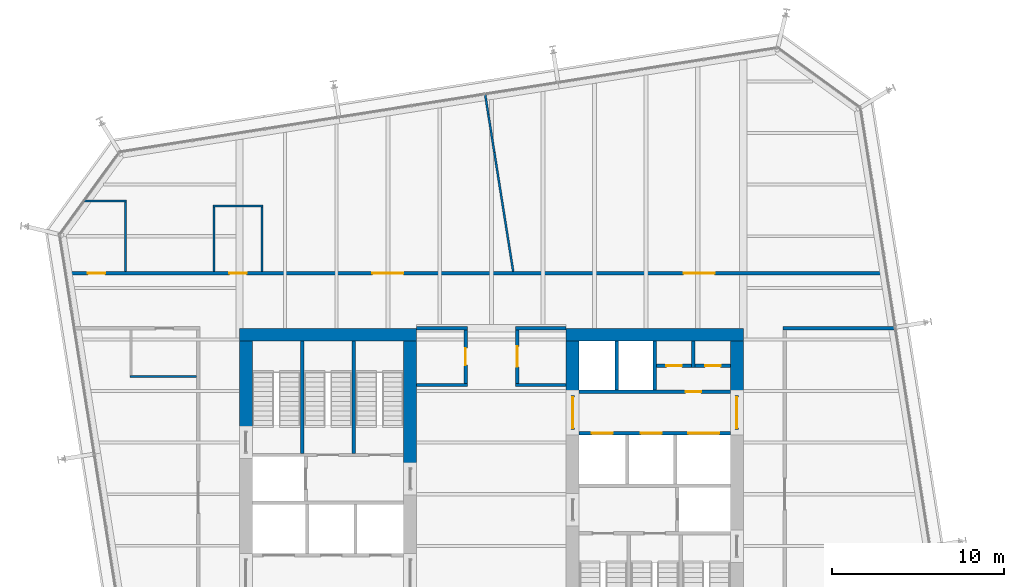
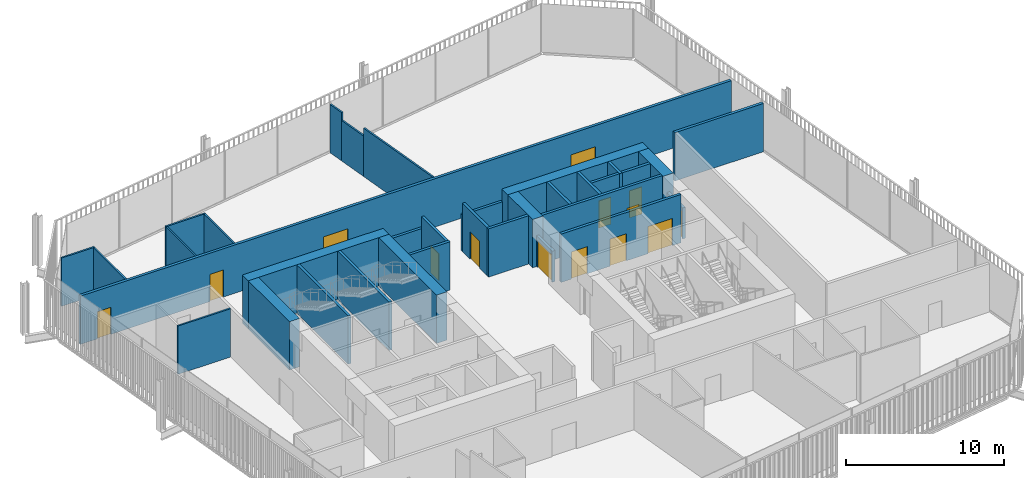
# One storey, part 19 of 21: 33 walls, 14 doors, 14 openings.
"""IFC4 building model written with IfcOpenShell, lengths in metres."""

from ifc_helpers import new_model, si_unit, direction, frame, frame_2d, origin, place, context, subcontext, project, spatial, rectangle, extrude, material, layer, layer_set, type_object, element, fill, save


model = new_model("IFC4")

# Units and contexts
model_context = context("Model", 3, precision=1e-05, world=origin(), true_north=direction((0.0, 1.0)))
body_context = subcontext(model_context, "Body", "Model", "MODEL_VIEW")
ifc_project = project(units=[si_unit("LENGTHUNIT", "METRE"), si_unit("AREAUNIT", "SQUARE_METRE"), si_unit("VOLUMEUNIT", "CUBIC_METRE"), si_unit("PLANEANGLEUNIT", "RADIAN"), si_unit("MASSUNIT", "GRAM", prefix="KILO")], contexts=[model_context])

# Site, building, storey
site_placement = place(None, origin())
site = spatial("IfcSite", under=ifc_project, at=site_placement, CompositionType="ELEMENT")
building_placement = place(site_placement, origin())
building = spatial("IfcBuilding", under=site, at=building_placement, Name="Millrace Tower", CompositionType="ELEMENT")
storey_placement = place(building_placement, frame((0.0, 0.0, 164.60009765625)))
storey = spatial("IfcBuildingStorey", under=building, at=storey_placement, Name="L37", CompositionType="ELEMENT", Elevation=164.60009765625)

# Walls
ifc_material_1 = material(Name="Concrete C70", Category="concrete")
ifc_layer_1 = layer(ifc_material_1, 0.75)
ifc_layer_set_1 = layer_set([ifc_layer_1], Name="Concrete C70")
wall_type_1 = type_object("IfcWallType", Name="Core wall 750 Concrete C70", PredefinedType="SHEAR", material=ifc_layer_set_1)
wall_1_placement = place(storey_placement, frame((-14.64990234375, 9.27490234375, 0.0), z_axis=(0.0, 0.0, 1.0), x_axis=(1.0, 0.0, 0.0)))
element("IfcWall", 1, at=wall_1_placement, inside=storey, type_object=wall_type_1, Name="Core wall W L37", PredefinedType="SHEAR", context=body_context, shape_type="SweptSolid", body=[
    extrude(rectangle(XDim=10.2998046875, YDim=0.75, at=frame_2d((5.14990234375, 0.0))), origin(), (0.0, 0.0, 1.0), 3.739990234375),
])
wall_2_placement = place(storey_placement, frame((-14.27490234375, 3.679931640625, 0.0), z_axis=(0.0, 0.0, 1.0), x_axis=(0.0, 1.0, 0.0)))
element("IfcWall", 2, at=wall_2_placement, inside=storey, type_object=wall_type_1, Name="Core wall W L37", PredefinedType="SHEAR", context=body_context, shape_type="SweptSolid", body=[
    extrude(rectangle(XDim=5.219970703125, YDim=0.75, at=frame_2d((2.60986328125, 0.0))), origin(), (0.0, 0.0, 1.0), 3.739990234375),
])
wall_3_placement = place(storey_placement, frame((-4.72509765625, 1.550048828125, 0.0), z_axis=(0.0, 0.0, 1.0), x_axis=(0.0, 1.0, 0.0)))
element("IfcWall", 3, at=wall_3_placement, inside=storey, type_object=wall_type_1, Name="Core wall W L37", PredefinedType="SHEAR", context=body_context, shape_type="SweptSolid", body=[
    extrude(rectangle(XDim=7.349853515625, YDim=0.75, at=frame_2d((3.6748046875, 0.0))), origin(), (0.0, 0.0, 1.0), 3.739990234375),
])
wall_4_placement = place(storey_placement, frame((14.64990234375, 9.27490234375, 0.0), z_axis=(0.0, 0.0, 1.0), x_axis=(-1.0, 0.0, 0.0)))
element("IfcWall", 4, at=wall_4_placement, inside=storey, type_object=wall_type_1, Name="Core wall E L37", PredefinedType="SHEAR", context=body_context, shape_type="SweptSolid", body=[
    extrude(rectangle(XDim=10.2998046875, YDim=0.75, at=frame_2d((5.14990234375, 0.0))), origin(), (0.0, 0.0, 1.0), 3.739990234375),
])
for number, where, z_axis, x_axis, name in (
    (5, (14.27490234375, 8.89990234375, 0.0), (0.0, 0.0, 1.0), (0.0, -1.0, 0.0), "Core wall E L37"),
    (6, (4.72509765625, 8.89990234375, 0.0), (0.0, 0.0, 1.0), (0.0, -1.0, 0.0), "Core wall E L37"),
):
    element("IfcWall", number, at=place(storey_placement, frame(where, z_axis=z_axis, x_axis=x_axis)), inside=storey, type_object=wall_type_1, Name=name, PredefinedType="SHEAR", context=body_context, shape_type="SweptSolid", body=[
        extrude(rectangle(XDim=3.14990234375, YDim=0.75, at=frame_2d((1.574951171875, 0.0))), origin(), (0.0, 0.0, 1.0), 3.739990234375),
    ])
ifc_material_2 = material(Name="Masonry partition, fire-rated", Category="masonry")
ifc_layer_2 = layer(ifc_material_2, 0.199951171875)
ifc_layer_set_2 = layer_set([ifc_layer_2], Name="Masonry partition, fire-rated")
wall_type_2 = type_object("IfcWallType", Name="Corridor wall 200", PredefinedType="PARTITIONING", material=ifc_layer_set_2)
for number, where, z_axis, x_axis, name in (
    (7, (-4.35009765625, 6.35009765625, 0.0), (0.0, 0.0, 1.0), (1.0, 0.0, 0.0), "Corridor wall L37"),
    (8, (1.39990234375, 6.35009765625, 0.0), (0.0, 0.0, 1.0), (1.0, 0.0, 0.0), "Corridor wall L37"),
):
    element("IfcWall", number, at=place(storey_placement, frame(where, z_axis=z_axis, x_axis=x_axis)), inside=storey, type_object=wall_type_2, Name=name, PredefinedType="PARTITIONING", context=body_context, shape_type="SweptSolid", body=[
        extrude(rectangle(XDim=2.9501953125, YDim=0.199951171875, at=frame_2d((1.47509765625, 0.0))), origin(), (0.0, 0.0, 1.0), 3.739990234375),
    ])
for number, where, z_axis, x_axis, name in (
    (9, (-4.35009765625, 9.64990234375, 0.0), (0.0, 0.0, 1.0), (1.0, 0.0, 0.0), "Corridor wall L37"),
    (10, (1.39990234375, 9.64990234375, 0.0), (0.0, 0.0, 1.0), (1.0, 0.0, 0.0), "Corridor wall L37"),
):
    element("IfcWall", number, at=place(storey_placement, frame(where, z_axis=z_axis, x_axis=x_axis)), inside=storey, type_object=wall_type_2, Name=name, PredefinedType="PARTITIONING", context=body_context, shape_type="SweptSolid", body=[
        extrude(rectangle(XDim=2.9501953125, YDim=0.199951171875, at=frame_2d((1.47509765625, 0.0))), origin(), (0.0, 0.0, 1.0), 2.812744140625),
    ])
wall_5_placement = place(storey_placement, frame((16.949951171875, 9.64990234375, 0.0), z_axis=(0.0, 0.0, 1.0), x_axis=(1.0, 0.0, 0.0)))
element("IfcWall", 11, at=wall_5_placement, inside=storey, type_object=wall_type_2, Name="Corridor wall L37", PredefinedType="PARTITIONING", context=body_context, shape_type="SweptSolid", body=[
    extrude(rectangle(XDim=6.489501953125, YDim=0.199951171875, at=frame_2d((3.24462890625, 0.0))), origin(), (0.0, 0.0, 1.0), 3.739990234375),
])

# Wall, openings, doors
wall_6_placement = place(storey_placement, frame((-24.7138671875, 12.85009765625, 0.0), z_axis=(0.0, 0.0, 1.0), x_axis=(1.0, 0.0, 0.0)))
wall_6 = element("IfcWall", 12, at=wall_6_placement, inside=storey, type_object=wall_type_2, Name="Corridor wall L37", PredefinedType="PARTITIONING", context=body_context, shape_type="SweptSolid", body=[
    extrude(rectangle(XDim=47.646484375, YDim=0.199951171875, at=frame_2d((23.8232421875, 0.0))), origin(), (0.0, 0.0, 1.0), 3.739990234375),
])
opening_1_placement = place(wall_6_placement, frame((1.2509765625, 0.0, 0.0)))
opening_1 = element("IfcOpeningElement", 13, at=opening_1_placement, cuts=wall_6, Name="Opening 37-P005", PredefinedType="OPENING", context=body_context, shape_type="SweptSolid", body=[
    extrude(rectangle(XDim=1.0, YDim=2.10009765625, at=frame_2d((0.5, 1.050048828125))), frame((0.0, 0.10986328125, 0.0), z_axis=(0.0, -1.0, 0.0), x_axis=(1.0, 0.0, 0.0)), (0.0, 0.0, 1.0), 0.219970703125),
])
opening_2_placement = place(wall_6_placement, frame((17.79296875, 0.0, 0.0)))
opening_2 = element("IfcOpeningElement", 14, at=opening_2_placement, cuts=wall_6, Name="Opening 37-P006", PredefinedType="OPENING", context=body_context, shape_type="SweptSolid", body=[
    extrude(rectangle(XDim=1.800048828125, YDim=2.10009765625, at=frame_2d((0.89990234375, 1.050048828125))), frame((0.0, 0.10986328125, 0.0), z_axis=(0.0, -1.0, 0.0), x_axis=(1.0, 0.0, 0.0)), (0.0, 0.0, 1.0), 0.219970703125),
])
opening_3_placement = place(wall_6_placement, frame((9.486083984375, 0.0, 0.0)))
opening_3 = element("IfcOpeningElement", 15, at=opening_3_placement, cuts=wall_6, Name="Opening 37-P007", PredefinedType="OPENING", context=body_context, shape_type="SweptSolid", body=[
    extrude(rectangle(XDim=1.0, YDim=2.10009765625, at=frame_2d((0.5, 1.050048828125))), frame((0.0, 0.10986328125, 0.0), z_axis=(0.0, -1.0, 0.0), x_axis=(1.0, 0.0, 0.0)), (0.0, 0.0, 1.0), 0.219970703125),
])
opening_4_placement = place(wall_6_placement, frame((35.89794921875, 0.0, 0.0)))
opening_4 = element("IfcOpeningElement", 16, at=opening_4_placement, cuts=wall_6, Name="Opening 37-P008", PredefinedType="OPENING", context=body_context, shape_type="SweptSolid", body=[
    extrude(rectangle(XDim=1.800048828125, YDim=2.10009765625, at=frame_2d((0.89990234375, 1.050048828125))), frame((0.0, 0.10986328125, 0.0), z_axis=(0.0, -1.0, 0.0), x_axis=(1.0, 0.0, 0.0)), (0.0, 0.0, 1.0), 0.219970703125),
])
ifc_material_3 = material(Name="Steel door set, fire-rated", Category="steel")
door_type_1 = type_object("IfcDoorType", Name="Corridor door 1000 x 2100", OperationType="SINGLE_SWING_LEFT", PredefinedType="DOOR", material=ifc_material_3)
door_1_placement = place(opening_1_placement, origin())
door_1 = element("IfcDoor", 17, at=door_1_placement, inside=storey, type_object=door_type_1, Name="Door 37-P005", OperationType="SINGLE_SWING_LEFT", OverallHeight=2.10009765625, OverallWidth=1.0, PredefinedType="DOOR", context=body_context, shape_type="SweptSolid", body=[
    extrude(rectangle(XDim=1.0, YDim=2.10009765625, at=frame_2d((0.5, 1.050048828125))), frame((0.0, 0.02490234375, 0.0), z_axis=(0.0, -1.0, 0.0), x_axis=(1.0, 0.0, 0.0)), (0.0, 0.0, 1.0), 0.050048828125),
])
fill(opening_1, door_1)
door_2_placement = place(opening_3_placement, origin())
door_2 = element("IfcDoor", 18, at=door_2_placement, inside=storey, type_object=door_type_1, Name="Door 37-P007", OperationType="SINGLE_SWING_LEFT", OverallHeight=2.10009765625, OverallWidth=1.0, PredefinedType="DOOR", context=body_context, shape_type="SweptSolid", body=[
    extrude(rectangle(XDim=1.0, YDim=2.10009765625, at=frame_2d((0.5, 1.050048828125))), frame((0.0, 0.02490234375, 0.0), z_axis=(0.0, -1.0, 0.0), x_axis=(1.0, 0.0, 0.0)), (0.0, 0.0, 1.0), 0.050048828125),
])
fill(opening_3, door_2)
ifc_material_4 = material(Name="Steel door set, fire-rated", Category="steel")
door_type_2 = type_object("IfcDoorType", Name="Corridor door 1800 x 2100", OperationType="DOUBLE_DOOR_SINGLE_SWING", PredefinedType="DOOR", material=ifc_material_4)
door_3_placement = place(opening_2_placement, frame((1.800048828125, 0.0, 0.0), z_axis=(0.0, 0.0, 1.0), x_axis=(-1.0, 0.0, 0.0)))
door_3 = element("IfcDoor", 19, at=door_3_placement, inside=storey, type_object=door_type_2, Name="Door 37-P006", OperationType="DOUBLE_DOOR_SINGLE_SWING", OverallHeight=2.10009765625, OverallWidth=1.800048828125, PredefinedType="DOOR", context=body_context, shape_type="SweptSolid", body=[
    extrude(rectangle(XDim=1.800048828125, YDim=2.10009765625, at=frame_2d((0.89990234375, 1.050048828125))), frame((0.0, 0.02490234375, 0.0), z_axis=(0.0, -1.0, 0.0), x_axis=(1.0, 0.0, 0.0)), (0.0, 0.0, 1.0), 0.050048828125),
])
fill(opening_2, door_3)
door_4_placement = place(opening_4_placement, frame((1.800048828125, 0.0, 0.0), z_axis=(0.0, 0.0, 1.0), x_axis=(-1.0, 0.0, 0.0)))
door_4 = element("IfcDoor", 20, at=door_4_placement, inside=storey, type_object=door_type_2, Name="Door 37-P008", OperationType="DOUBLE_DOOR_SINGLE_SWING", OverallHeight=2.10009765625, OverallWidth=1.800048828125, PredefinedType="DOOR", context=body_context, shape_type="SweptSolid", body=[
    extrude(rectangle(XDim=1.800048828125, YDim=2.10009765625, at=frame_2d((0.89990234375, 1.050048828125))), frame((0.0, 0.02490234375, 0.0), z_axis=(0.0, -1.0, 0.0), x_axis=(1.0, 0.0, 0.0)), (0.0, 0.0, 1.0), 0.050048828125),
])
fill(opening_4, door_4)

# Wall, opening, door
wall_7_placement = place(storey_placement, frame((1.5, 6.449951171875, 0.0), z_axis=(0.0, 0.0, 1.0), x_axis=(0.0, 1.0, 0.0)))
wall_7 = element("IfcWall", 21, at=wall_7_placement, inside=storey, type_object=wall_type_2, Name="Corridor wall L37", PredefinedType="PARTITIONING", context=body_context, shape_type="SweptSolid", body=[
    extrude(rectangle(XDim=3.10009765625, YDim=0.199951171875, at=frame_2d((1.550048828125, 0.0))), origin(), (0.0, 0.0, 1.0), 3.739990234375),
])
opening_5_placement = place(wall_7_placement, frame((0.949951171875, 0.0, 0.0)))
opening_5 = element("IfcOpeningElement", 22, at=opening_5_placement, cuts=wall_7, Name="Opening 37-P002", PredefinedType="OPENING", context=body_context, shape_type="SweptSolid", body=[
    extrude(rectangle(XDim=1.199951171875, YDim=2.10009765625, at=frame_2d((0.60009765625, 1.050048828125))), frame((0.0, 0.10986328125, 0.0), z_axis=(0.0, -1.0, 0.0), x_axis=(1.0, 0.0, 0.0)), (0.0, 0.0, 1.0), 0.219970703125),
])
ifc_material_5 = material(Name="Steel door set, fire-rated", Category="steel")
door_type_3 = type_object("IfcDoorType", Name="Corridor door 1200 x 2100", OperationType="SINGLE_SWING_LEFT", PredefinedType="DOOR", material=ifc_material_5)
door_5_placement = place(opening_5_placement, frame((1.199951171875, 0.0, 0.0), z_axis=(0.0, 0.0, 1.0), x_axis=(-1.0, 0.0, 0.0)))
door_5 = element("IfcDoor", 23, at=door_5_placement, inside=storey, type_object=door_type_3, Name="Door 37-P002", OperationType="SINGLE_SWING_LEFT", OverallHeight=2.10009765625, OverallWidth=1.199951171875, PredefinedType="DOOR", context=body_context, shape_type="SweptSolid", body=[
    extrude(rectangle(XDim=1.199951171875, YDim=2.10009765625, at=frame_2d((0.60009765625, 1.050048828125))), frame((0.0, 0.02490234375, 0.0), z_axis=(0.0, -1.0, 0.0), x_axis=(1.0, 0.0, 0.0)), (0.0, 0.0, 1.0), 0.050048828125),
])
fill(opening_5, door_5)

wall_8_placement = place(storey_placement, frame((-1.5, 6.449951171875, 0.0), z_axis=(0.0, 0.0, 1.0), x_axis=(0.0, 1.0, 0.0)))
wall_8 = element("IfcWall", 24, at=wall_8_placement, inside=storey, type_object=wall_type_2, Name="Corridor wall L37", PredefinedType="PARTITIONING", context=body_context, shape_type="SweptSolid", body=[
    extrude(rectangle(XDim=3.10009765625, YDim=0.199951171875, at=frame_2d((1.550048828125, 0.0))), origin(), (0.0, 0.0, 1.0), 3.739990234375),
])
opening_6_placement = place(wall_8_placement, frame((1.050048828125, 0.0, 0.0)))
opening_6 = element("IfcOpeningElement", 25, at=opening_6_placement, cuts=wall_8, Name="Opening 37-P001", PredefinedType="OPENING", context=body_context, shape_type="SweptSolid", body=[
    extrude(rectangle(XDim=1.0, YDim=2.10009765625, at=frame_2d((0.5, 1.050048828125))), frame((0.0, 0.10986328125, 0.0), z_axis=(0.0, -1.0, 0.0), x_axis=(1.0, 0.0, 0.0)), (0.0, 0.0, 1.0), 0.219970703125),
])
door_6_placement = place(opening_6_placement, origin())
door_6 = element("IfcDoor", 26, at=door_6_placement, inside=storey, type_object=door_type_1, Name="Door 37-P001", OperationType="SINGLE_SWING_RIGHT", OverallHeight=2.10009765625, OverallWidth=1.0, PredefinedType="DOOR", context=body_context, shape_type="SweptSolid", body=[
    extrude(rectangle(XDim=1.0, YDim=2.10009765625, at=frame_2d((0.5, 1.050048828125))), frame((0.0, 0.02490234375, 0.0), z_axis=(0.0, -1.0, 0.0), x_axis=(1.0, 0.0, 0.0)), (0.0, 0.0, 1.0), 0.050048828125),
])
fill(opening_6, door_6)

ifc_material_6 = material(Name="Masonry partition, fire-rated", Category="masonry")
ifc_layer_3 = layer(ifc_material_6, 0.199951171875)
ifc_layer_set_3 = layer_set([ifc_layer_3], Name="Masonry partition, fire-rated")
wall_type_3 = type_object("IfcWallType", Name="Lift shaft wall 200", PredefinedType="PARTITIONING", material=ifc_layer_set_3)
wall_9_placement = place(storey_placement, frame((13.89990234375, 5.949951171875, 0.0), z_axis=(0.0, 0.0, 1.0), x_axis=(-1.0, 0.0, 0.0)))
wall_9 = element("IfcWall", 27, at=wall_9_placement, inside=storey, type_object=wall_type_3, Name="Lift shaft wall E L37", PredefinedType="PARTITIONING", context=body_context, shape_type="SweptSolid", body=[
    extrude(rectangle(XDim=8.7998046875, YDim=0.199951171875, at=frame_2d((4.39990234375, 0.0))), origin(), (0.0, 0.0, 1.0), 3.739990234375),
])
opening_7_placement = place(wall_9_placement, frame((1.699951171875, 0.0, 0.0)))
opening_7 = element("IfcOpeningElement", 28, at=opening_7_placement, cuts=wall_9, Name="Opening 37-C014", PredefinedType="OPENING", context=body_context, shape_type="SweptSolid", body=[
    extrude(rectangle(XDim=0.89990234375, YDim=2.10009765625, at=frame_2d((0.449951171875, 1.050048828125))), frame((0.0, 0.10986328125, 0.0), z_axis=(0.0, -1.0, 0.0), x_axis=(1.0, 0.0, 0.0)), (0.0, 0.0, 1.0), 0.219970703125),
])
ifc_material_7 = material(Name="Steel door, fire-rated", Category="steel")
door_type_4 = type_object("IfcDoorType", Name="Service room door 900 x 2100", OperationType="SINGLE_SWING_LEFT", PredefinedType="DOOR", material=ifc_material_7)
door_7_placement = place(opening_7_placement, origin())
door_7 = element("IfcDoor", 29, at=door_7_placement, inside=storey, type_object=door_type_4, Name="Service room door 37-C014", OperationType="SINGLE_SWING_LEFT", OverallHeight=2.10009765625, OverallWidth=0.89990234375, PredefinedType="DOOR", context=body_context, shape_type="SweptSolid", body=[
    extrude(rectangle(XDim=0.89990234375, YDim=2.10009765625, at=frame_2d((0.449951171875, 1.050048828125))), frame((0.0, 0.02490234375, 0.0), z_axis=(0.0, -1.0, 0.0), x_axis=(1.0, 0.0, 0.0)), (0.0, 0.0, 1.0), 0.050048828125),
])
fill(opening_7, door_7)

# Wall, openings, doors
wall_10_placement = place(storey_placement, frame((13.89990234375, 3.550048828125, 0.0), z_axis=(0.0, 0.0, 1.0), x_axis=(-1.0, 0.0, 0.0)))
wall_10 = element("IfcWall", 30, at=wall_10_placement, inside=storey, type_object=wall_type_3, Name="Lift shaft wall E L37", PredefinedType="PARTITIONING", context=body_context, shape_type="SweptSolid", body=[
    extrude(rectangle(XDim=8.7998046875, YDim=0.199951171875, at=frame_2d((4.39990234375, 0.0))), origin(), (0.0, 0.0, 1.0), 3.739990234375),
])
opening_8_placement = place(wall_10_placement, frame((0.64990234375, 0.0, 0.0)))
opening_8 = element("IfcOpeningElement", 31, at=opening_8_placement, cuts=wall_10, Name="Opening 37-LD13", PredefinedType="OPENING", context=body_context, shape_type="SweptSolid", body=[
    extrude(rectangle(XDim=1.800048828125, YDim=2.10009765625, at=frame_2d((0.89990234375, 1.050048828125))), frame((0.0, 0.10986328125, 0.0), z_axis=(0.0, -1.0, 0.0), x_axis=(1.0, 0.0, 0.0)), (0.0, 0.0, 1.0), 0.219970703125),
])
opening_9_placement = place(wall_10_placement, frame((4.0, 0.0, 0.0)))
opening_9 = element("IfcOpeningElement", 32, at=opening_9_placement, cuts=wall_10, Name="Opening 37-LD14", PredefinedType="OPENING", context=body_context, shape_type="SweptSolid", body=[
    extrude(rectangle(XDim=1.199951171875, YDim=2.10009765625, at=frame_2d((0.60009765625, 1.050048828125))), frame((0.0, 0.10986328125, 0.0), z_axis=(0.0, -1.0, 0.0), x_axis=(1.0, 0.0, 0.0)), (0.0, 0.0, 1.0), 0.219970703125),
])
opening_10_placement = place(wall_10_placement, frame((6.85009765625, 0.0, 0.0)))
opening_10 = element("IfcOpeningElement", 33, at=opening_10_placement, cuts=wall_10, Name="Opening 37-LD15", PredefinedType="OPENING", context=body_context, shape_type="SweptSolid", body=[
    extrude(rectangle(XDim=1.199951171875, YDim=2.10009765625, at=frame_2d((0.60009765625, 1.050048828125))), frame((0.0, 0.10986328125, 0.0), z_axis=(0.0, -1.0, 0.0), x_axis=(1.0, 0.0, 0.0)), (0.0, 0.0, 1.0), 0.219970703125),
])
ifc_material_8 = material(Name="Stainless steel, fire-rated", Category="steel")
door_type_5 = type_object("IfcDoorType", Name="Lift landing door 1200 x 2100", OperationType="DOUBLE_DOOR_SLIDING", PredefinedType="DOOR", material=ifc_material_8)
door_8_placement = place(opening_9_placement, origin())
door_8 = element("IfcDoor", 34, at=door_8_placement, inside=storey, type_object=door_type_5, Name="Lift landing door LF14 L37", OperationType="DOUBLE_DOOR_SLIDING", OverallHeight=2.10009765625, OverallWidth=1.199951171875, PredefinedType="DOOR", context=body_context, shape_type="SweptSolid", body=[
    extrude(rectangle(XDim=1.199951171875, YDim=2.10009765625, at=frame_2d((0.60009765625, 1.050048828125))), frame((0.0, 0.02490234375, 0.0), z_axis=(0.0, -1.0, 0.0), x_axis=(1.0, 0.0, 0.0)), (0.0, 0.0, 1.0), 0.050048828125),
])
fill(opening_9, door_8)
door_9_placement = place(opening_10_placement, origin())
door_9 = element("IfcDoor", 35, at=door_9_placement, inside=storey, type_object=door_type_5, Name="Lift landing door LF15 L37", OperationType="DOUBLE_DOOR_SLIDING", OverallHeight=2.10009765625, OverallWidth=1.199951171875, PredefinedType="DOOR", context=body_context, shape_type="SweptSolid", body=[
    extrude(rectangle(XDim=1.199951171875, YDim=2.10009765625, at=frame_2d((0.60009765625, 1.050048828125))), frame((0.0, 0.02490234375, 0.0), z_axis=(0.0, -1.0, 0.0), x_axis=(1.0, 0.0, 0.0)), (0.0, 0.0, 1.0), 0.050048828125),
])
fill(opening_10, door_9)
ifc_material_9 = material(Name="Stainless steel, fire-rated", Category="steel")
door_type_6 = type_object("IfcDoorType", Name="Lift landing door 1800 x 2100", OperationType="DOUBLE_DOOR_SLIDING", PredefinedType="DOOR", material=ifc_material_9)
door_10_placement = place(opening_8_placement, origin())
door_10 = element("IfcDoor", 36, at=door_10_placement, inside=storey, type_object=door_type_6, Name="Lift landing door LF13 L37", OperationType="DOUBLE_DOOR_SLIDING", OverallHeight=2.10009765625, OverallWidth=1.800048828125, PredefinedType="DOOR", context=body_context, shape_type="SweptSolid", body=[
    extrude(rectangle(XDim=1.800048828125, YDim=2.10009765625, at=frame_2d((0.89990234375, 1.050048828125))), frame((0.0, 0.02490234375, 0.0), z_axis=(0.0, -1.0, 0.0), x_axis=(1.0, 0.0, 0.0)), (0.0, 0.0, 1.0), 0.050048828125),
])
fill(opening_8, door_10)

# Walls
for number, where, z_axis, x_axis, name in (
    (37, (9.5, 8.89990234375, 0.0), (0.0, 0.0, 1.0), (0.0, -1.0, 0.0), "Lift shaft wall E L37"),
    (38, (7.300048828125, 8.89990234375, 0.0), (0.0, 0.0, 1.0), (0.0, -1.0, 0.0), "Lift shaft wall E L37"),
):
    element("IfcWall", number, at=place(storey_placement, frame(where, z_axis=z_axis, x_axis=x_axis)), inside=storey, type_object=wall_type_3, Name=name, PredefinedType="PARTITIONING", context=body_context, shape_type="SweptSolid", body=[
        extrude(rectangle(XDim=2.849853515625, YDim=0.199951171875, at=frame_2d((1.4248046875, 0.0))), origin(), (0.0, 0.0, 1.0), 3.739990234375),
    ])

# Wall, opening, door
ifc_material_10 = material(Name="Masonry partition, fire-rated", Category="masonry")
ifc_layer_4 = layer(ifc_material_10, 0.199951171875)
ifc_layer_set_4 = layer_set([ifc_layer_4], Name="Masonry partition, fire-rated")
wall_type_4 = type_object("IfcWallType", Name="Lobby wall 200", PredefinedType="PARTITIONING", material=ifc_layer_set_4)
wall_11_placement = place(storey_placement, frame((14.27490234375, 5.75, 0.0), z_axis=(0.0, 0.0, 1.0), x_axis=(0.0, -1.0, 0.0)))
wall_11 = element("IfcWall", 39, at=wall_11_placement, inside=storey, type_object=wall_type_4, Name="Lobby wall E L37", PredefinedType="PARTITIONING", context=body_context, shape_type="SweptSolid", body=[
    extrude(rectangle(XDim=2.0, YDim=0.199951171875, at=frame_2d((1.0, 0.0))), origin(), (0.0, 0.0, 1.0), 2.39990234375),
])
opening_11_placement = place(wall_11_placement, frame((0.10009765625, 0.0, 0.0)))
opening_11 = element("IfcOpeningElement", 40, at=opening_11_placement, cuts=wall_11, Name="Opening 37-C010", PredefinedType="OPENING", context=body_context, shape_type="SweptSolid", body=[
    extrude(rectangle(XDim=1.800048828125, YDim=2.10009765625, at=frame_2d((0.89990234375, 1.050048828125))), frame((0.0, 0.10986328125, 0.0), z_axis=(0.0, -1.0, 0.0), x_axis=(1.0, 0.0, 0.0)), (0.0, 0.0, 1.0), 0.219970703125),
])
ifc_material_11 = material(Name="Steel door, fire-rated", Category="steel")
door_type_7 = type_object("IfcDoorType", Name="Lobby door 1800 x 2100", OperationType="DOUBLE_DOOR_SINGLE_SWING", PredefinedType="DOOR", material=ifc_material_11)
door_11_placement = place(opening_11_placement, origin())
door_11 = element("IfcDoor", 41, at=door_11_placement, inside=storey, type_object=door_type_7, Name="Lobby door 37-C010", OperationType="DOUBLE_DOOR_SINGLE_SWING", OverallHeight=2.10009765625, OverallWidth=1.800048828125, PredefinedType="DOOR", context=body_context, shape_type="SweptSolid", body=[
    extrude(rectangle(XDim=1.800048828125, YDim=2.10009765625, at=frame_2d((0.89990234375, 1.050048828125))), frame((0.0, 0.02490234375, 0.0), z_axis=(0.0, -1.0, 0.0), x_axis=(1.0, 0.0, 0.0)), (0.0, 0.0, 1.0), 0.050048828125),
])
fill(opening_11, door_11)

wall_12_placement = place(storey_placement, frame((4.72509765625, 5.75, 0.0), z_axis=(0.0, 0.0, 1.0), x_axis=(0.0, -1.0, 0.0)))
wall_12 = element("IfcWall", 42, at=wall_12_placement, inside=storey, type_object=wall_type_4, Name="Lobby wall E L37", PredefinedType="PARTITIONING", context=body_context, shape_type="SweptSolid", body=[
    extrude(rectangle(XDim=2.0, YDim=0.199951171875, at=frame_2d((1.0, 0.0))), origin(), (0.0, 0.0, 1.0), 2.39990234375),
])
opening_12_placement = place(wall_12_placement, frame((0.10009765625, 0.0, 0.0)))
opening_12 = element("IfcOpeningElement", 43, at=opening_12_placement, cuts=wall_12, Name="Opening 37-C012", PredefinedType="OPENING", context=body_context, shape_type="SweptSolid", body=[
    extrude(rectangle(XDim=1.800048828125, YDim=2.10009765625, at=frame_2d((0.89990234375, 1.050048828125))), frame((0.0, 0.10986328125, 0.0), z_axis=(0.0, -1.0, 0.0), x_axis=(1.0, 0.0, 0.0)), (0.0, 0.0, 1.0), 0.219970703125),
])
door_12_placement = place(opening_12_placement, origin())
door_12 = element("IfcDoor", 44, at=door_12_placement, inside=storey, type_object=door_type_7, Name="Lobby door 37-C012", OperationType="DOUBLE_DOOR_SINGLE_SWING", OverallHeight=2.10009765625, OverallWidth=1.800048828125, PredefinedType="DOOR", context=body_context, shape_type="SweptSolid", body=[
    extrude(rectangle(XDim=1.800048828125, YDim=2.10009765625, at=frame_2d((0.89990234375, 1.050048828125))), frame((0.0, 0.02490234375, 0.0), z_axis=(0.0, -1.0, 0.0), x_axis=(1.0, 0.0, 0.0)), (0.0, 0.0, 1.0), 0.050048828125),
])
fill(opening_12, door_12)

# Walls
ifc_material_12 = material(Name="Gypsum board partition")
ifc_layer_5 = layer(ifc_material_12, 0.1201171875)
ifc_layer_set_5 = layer_set([ifc_layer_5], Name="Gypsum board partition")
wall_type_5 = type_object("IfcWallType", Name="Partition wall 120", PredefinedType="PARTITIONING", material=ifc_layer_set_5)
wall_13_placement = place(storey_placement, frame((-0.35791015625, 23.2265625, 0.0), z_axis=(0.0, 0.0, 1.0), x_axis=(0.156600767985, -0.987661986444, 0.0)))
element("IfcWall", 45, at=wall_13_placement, inside=storey, type_object=wall_type_5, Name="Partition wall L37", PredefinedType="PARTITIONING", context=body_context, shape_type="SweptSolid", body=[
    extrude(rectangle(XDim=1.1787109375, YDim=0.1201171875, at=frame_2d((0.58935546875, 0.0))), origin(), (0.0, 0.0, 1.0), 3.739990234375),
])
wall_14_placement = place(storey_placement, frame((-0.17333984375, 22.0625, 0.0), z_axis=(0.0, 0.0, 1.0), x_axis=(0.156375374173, -0.987697697857, 0.0)))
element("IfcWall", 46, at=wall_14_placement, inside=storey, type_object=wall_type_5, Name="Partition wall L37", PredefinedType="PARTITIONING", context=body_context, shape_type="SweptSolid", body=[
    extrude(rectangle(XDim=2.217041015625, YDim=0.1201171875, at=frame_2d((1.1083984375, 0.0))), origin(), (0.0, 0.0, 1.0), 3.1328125),
])
wall_15_placement = place(storey_placement, frame((0.17333984375, 19.872802734375, 0.0), z_axis=(0.0, 0.0, 1.0), x_axis=(0.156470438689, -0.987682642257, 0.0)))
element("IfcWall", 47, at=wall_15_placement, inside=storey, type_object=wall_type_5, Name="Partition wall L37", PredefinedType="PARTITIONING", context=body_context, shape_type="SweptSolid", body=[
    extrude(rectangle(XDim=7.010498046875, YDim=0.1201171875, at=frame_2d((3.50537109375, 0.0))), origin(), (0.0, 0.0, 1.0), 3.739990234375),
])
wall_16_placement = place(storey_placement, frame((-21.010009765625, 6.85009765625, 0.0), z_axis=(0.0, 0.0, 1.0), x_axis=(1.0, 0.0, 0.0)))
element("IfcWall", 48, at=wall_16_placement, inside=storey, type_object=wall_type_5, Name="Partition wall L37", PredefinedType="PARTITIONING", context=body_context, shape_type="SweptSolid", body=[
    extrude(rectangle(XDim=3.860107421875, YDim=0.1201171875, at=frame_2d((1.93017578125, 0.0))), origin(), (0.0, 0.0, 1.0), 3.739990234375),
])
wall_17_placement = place(storey_placement, frame((-16.18701171875, 16.75, 0.0), z_axis=(0.0, 0.0, 1.0), x_axis=(1.0, 0.0, 0.0)))
element("IfcWall", 49, at=wall_17_placement, inside=storey, type_object=wall_type_5, Name="Partition wall L37", PredefinedType="PARTITIONING", context=body_context, shape_type="SweptSolid", body=[
    extrude(rectangle(XDim=2.91796875, YDim=0.1201171875, at=frame_2d((1.458984375, 0.0))), origin(), (0.0, 0.0, 1.0), 3.739990234375),
])
wall_18_placement = place(storey_placement, frame((-23.6474609375, 17.050048828125, 0.0), z_axis=(0.0, 0.0, 1.0), x_axis=(1.0, 0.0, 0.0)))
element("IfcWall", 50, at=wall_18_placement, inside=storey, type_object=wall_type_5, Name="Partition wall L37", PredefinedType="PARTITIONING", context=body_context, shape_type="SweptSolid", body=[
    extrude(rectangle(XDim=2.443359375, YDim=0.1201171875, at=frame_2d((1.2216796875, 0.0))), origin(), (0.0, 0.0, 1.0), 3.739990234375),
])
for number, where, z_axis, x_axis, name in (
    (51, (-13.327880859375, 12.949951171875, 0.0), (0.0, 0.0, 1.0), (0.0, 1.0, 0.0), "Partition wall L37"),
    (52, (-16.1279296875, 12.949951171875, 0.0), (0.0, 0.0, 1.0), (0.0, 1.0, 0.0), "Partition wall L37"),
):
    element("IfcWall", number, at=place(storey_placement, frame(where, z_axis=z_axis, x_axis=x_axis)), inside=storey, type_object=wall_type_5, Name=name, PredefinedType="PARTITIONING", context=body_context, shape_type="SweptSolid", body=[
        extrude(rectangle(XDim=3.739013671875, YDim=0.1201171875, at=frame_2d((1.86962890625, 0.0))), origin(), (0.0, 0.0, 1.0), 3.739990234375),
    ])
wall_19_placement = place(storey_placement, frame((-21.262939453125, 12.949951171875, 0.0), z_axis=(0.0, 0.0, 1.0), x_axis=(0.0, 1.0, 0.0)))
element("IfcWall", 53, at=wall_19_placement, inside=storey, type_object=wall_type_5, Name="Partition wall L37", PredefinedType="PARTITIONING", context=body_context, shape_type="SweptSolid", body=[
    extrude(rectangle(XDim=4.0390625, YDim=0.1201171875, at=frame_2d((2.01953125, 0.0))), origin(), (0.0, 0.0, 1.0), 3.739990234375),
])

# Wall, openings, doors
ifc_material_13 = material(Name="Masonry partition, fire-rated", Category="masonry")
ifc_layer_6 = layer(ifc_material_13, 0.199951171875)
ifc_layer_set_6 = layer_set([ifc_layer_6], Name="Masonry partition, fire-rated")
wall_type_6 = type_object("IfcWallType", Name="Room partition 200", PredefinedType="PARTITIONING", material=ifc_layer_set_6)
wall_20_placement = place(storey_placement, frame((13.89990234375, 7.47509765625, 0.0), z_axis=(0.0, 0.0, 1.0), x_axis=(-1.0, 0.0, 0.0)))
wall_20 = element("IfcWall", 54, at=wall_20_placement, inside=storey, type_object=wall_type_6, Name="Room partition E L37", PredefinedType="PARTITIONING", context=body_context, shape_type="SweptSolid", body=[
    extrude(rectangle(XDim=4.2998046875, YDim=0.199951171875, at=frame_2d((2.14990234375, 0.0))), origin(), (0.0, 0.0, 1.0), 3.739990234375),
])
opening_13_placement = place(wall_20_placement, frame((0.574951171875, 0.0, 0.0)))
opening_13 = element("IfcOpeningElement", 55, at=opening_13_placement, cuts=wall_20, Name="Opening 37-C015", PredefinedType="OPENING", context=body_context, shape_type="SweptSolid", body=[
    extrude(rectangle(XDim=0.89990234375, YDim=2.10009765625, at=frame_2d((0.449951171875, 1.050048828125))), frame((0.0, 0.10986328125, 0.0), z_axis=(0.0, -1.0, 0.0), x_axis=(1.0, 0.0, 0.0)), (0.0, 0.0, 1.0), 0.219970703125),
])
opening_14_placement = place(wall_20_placement, frame((2.824951171875, 0.0, 0.0)))
opening_14 = element("IfcOpeningElement", 56, at=opening_14_placement, cuts=wall_20, Name="Opening 37-C016", PredefinedType="OPENING", context=body_context, shape_type="SweptSolid", body=[
    extrude(rectangle(XDim=0.89990234375, YDim=2.10009765625, at=frame_2d((0.449951171875, 1.050048828125))), frame((0.0, 0.10986328125, 0.0), z_axis=(0.0, -1.0, 0.0), x_axis=(1.0, 0.0, 0.0)), (0.0, 0.0, 1.0), 0.219970703125),
])
door_13_placement = place(opening_13_placement, frame((0.89990234375, 0.0, 0.0), z_axis=(0.0, 0.0, 1.0), x_axis=(-1.0, 0.0, 0.0)))
door_13 = element("IfcDoor", 57, at=door_13_placement, inside=storey, type_object=door_type_4, Name="Service room door 37-C015", OperationType="SINGLE_SWING_RIGHT", OverallHeight=2.10009765625, OverallWidth=0.89990234375, PredefinedType="DOOR", context=body_context, shape_type="SweptSolid", body=[
    extrude(rectangle(XDim=0.89990234375, YDim=2.10009765625, at=frame_2d((0.449951171875, 1.050048828125))), frame((0.0, 0.02490234375, 0.0), z_axis=(0.0, -1.0, 0.0), x_axis=(1.0, 0.0, 0.0)), (0.0, 0.0, 1.0), 0.050048828125),
])
fill(opening_13, door_13)
door_14_placement = place(opening_14_placement, frame((0.89990234375, 0.0, 0.0), z_axis=(0.0, 0.0, 1.0), x_axis=(-1.0, 0.0, 0.0)))
door_14 = element("IfcDoor", 58, at=door_14_placement, inside=storey, type_object=door_type_4, Name="Service room door 37-C016", OperationType="SINGLE_SWING_LEFT", OverallHeight=2.10009765625, OverallWidth=0.89990234375, PredefinedType="DOOR", context=body_context, shape_type="SweptSolid", body=[
    extrude(rectangle(XDim=0.89990234375, YDim=2.10009765625, at=frame_2d((0.449951171875, 1.050048828125))), frame((0.0, 0.02490234375, 0.0), z_axis=(0.0, -1.0, 0.0), x_axis=(1.0, 0.0, 0.0)), (0.0, 0.0, 1.0), 0.050048828125),
])
fill(opening_14, door_14)

# Walls
wall_21_placement = place(storey_placement, frame((11.75, 8.89990234375, 0.0), z_axis=(0.0, 0.0, 1.0), x_axis=(0.0, -1.0, 0.0)))
element("IfcWall", 59, at=wall_21_placement, inside=storey, type_object=wall_type_6, Name="Room partition E L37", PredefinedType="PARTITIONING", context=body_context, shape_type="SweptSolid", body=[
    extrude(rectangle(XDim=1.52490234375, YDim=0.199951171875, at=frame_2d((0.762451171875, 0.0))), origin(), (0.0, 0.0, 1.0), 3.739990234375),
])
ifc_material_14 = material(Name="Concrete C40", Category="concrete")
ifc_layer_7 = layer(ifc_material_14, 0.199951171875)
ifc_layer_set_7 = layer_set([ifc_layer_7], Name="Concrete C40")
wall_type_7 = type_object("IfcWallType", Name="Stair enclosure wall 200 Concrete C40", PredefinedType="SHEAR", material=ifc_layer_set_7)
for number, where, z_axis, x_axis, name in (
    (60, (-11.0, 2.3798828125, 0.0), (0.0, 0.0, 1.0), (0.0, 1.0, 0.0), "Stair enclosure wall W L37"),
    (61, (-8.0, 2.3798828125, 0.0), (0.0, 0.0, 1.0), (0.0, 1.0, 0.0), "Stair enclosure wall W L37"),
):
    element("IfcWall", number, at=place(storey_placement, frame(where, z_axis=z_axis, x_axis=x_axis)), inside=storey, type_object=wall_type_7, Name=name, PredefinedType="SHEAR", context=body_context, shape_type="SweptSolid", body=[
        extrude(rectangle(XDim=6.52001953125, YDim=0.199951171875, at=frame_2d((3.260009765625, 0.0))), origin(), (0.0, 0.0, 1.0), 3.739990234375),
    ])

save(model, "model.ifc")
